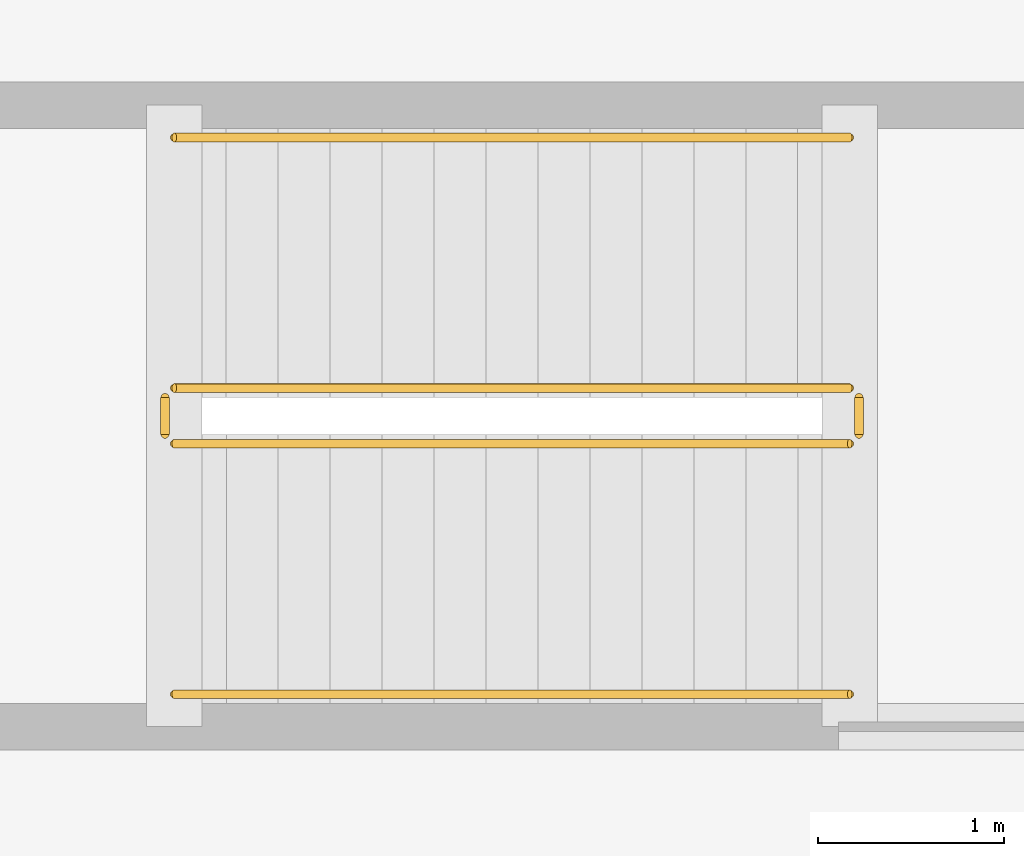
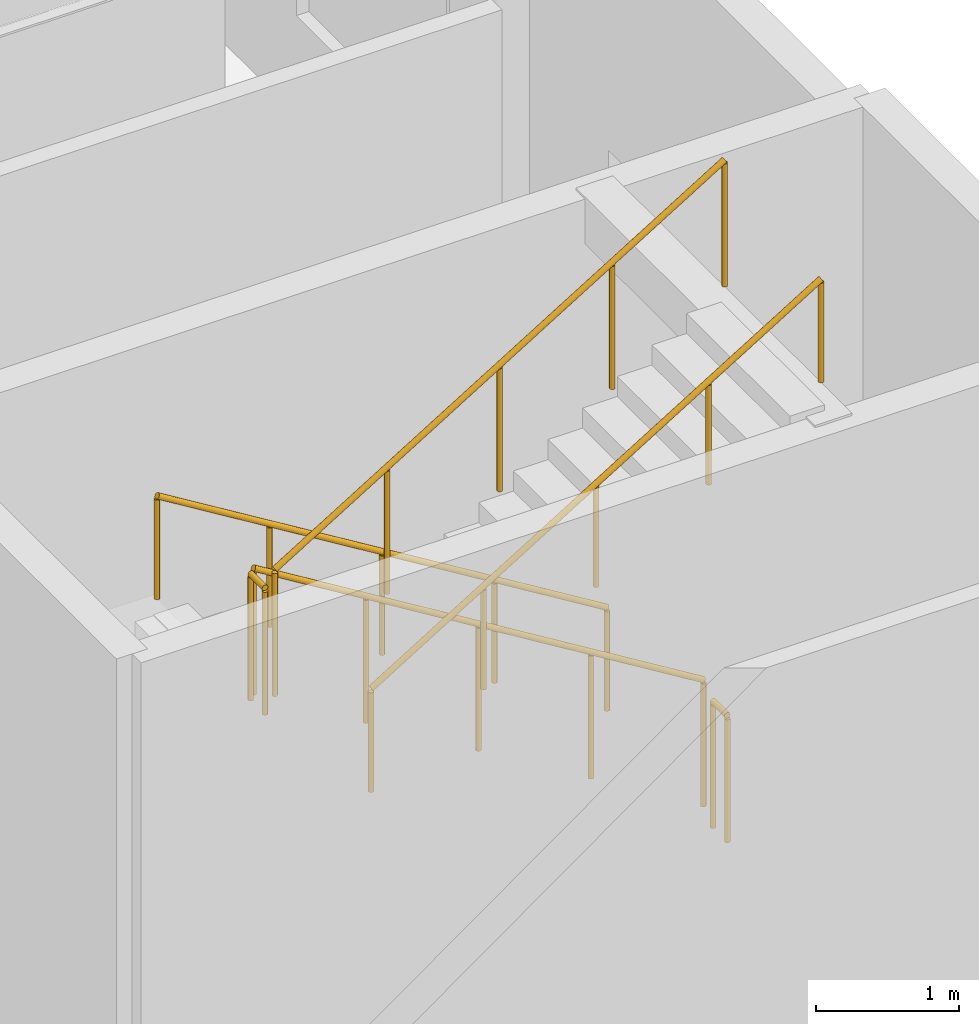
# One storey, part 92 of 93: 6 railings.
"""IFC4 building model written with IfcOpenShell, lengths in metres."""

from ifc_helpers import new_model, si_unit, direction, frame, origin, origin_2d, place, context, subcontext, project, spatial, circle, extrude, material, type_object, element, save


model = new_model("IFC4")

# Units and contexts
model_context = context("Model", 3, precision=1e-05, world=origin(), true_north=direction((0.0, 1.0)))
body_context = subcontext(model_context, "Body", "Model", "MODEL_VIEW")
ifc_project = project(units=[si_unit("LENGTHUNIT", "METRE"), si_unit("AREAUNIT", "SQUARE_METRE"), si_unit("VOLUMEUNIT", "CUBIC_METRE"), si_unit("PLANEANGLEUNIT", "RADIAN"), si_unit("MASSUNIT", "GRAM", prefix="KILO")], contexts=[model_context])

# Site, building, storey
site_placement = place(None, origin())
site = spatial("IfcSite", under=ifc_project, at=site_placement, CompositionType="ELEMENT")
building_placement = place(site_placement, origin())
building = spatial("IfcBuilding", under=site, at=building_placement, Name="Kazehara Bluff Congress Hotel", CompositionType="ELEMENT")
storey_placement = place(building_placement, frame((0.0, 0.0, 15.0)))
storey = spatial("IfcBuildingStorey", under=building, at=storey_placement, Name="L03", CompositionType="ELEMENT", Elevation=15.0)

# Railings
ifc_material_1 = material(Name="Brushed stainless steel", Category="steel")
railing_type_1 = type_object("IfcRailingType", Name="TP-GRD-INT", PredefinedType="GUARDRAIL", material=ifc_material_1)
railing_1_placement = place(storey_placement, frame((165.64990234375, 74.89990234375, 0.17138671875)))
element("IfcRailing", 1, at=railing_1_placement, inside=storey, type_object=railing_type_1, Name="L03 ST-12 stair guard 1", PredefinedType="GUARDRAIL", context=body_context, shape_type="SweptSolid", body=[
    extrude(circle(Radius=0.02392578125, at=origin_2d()), frame((0.0, 0.0, 1.076171875), z_axis=(-0.852850264322, 0.0, 0.5221555579), x_axis=(0.0, -1.0, 0.0)), (0.0, 0.0, 1.0), 4.267822265625),
    extrude(circle(Radius=0.02099609375, at=origin_2d()), origin(), (0.0, 0.0, 1.0), 1.052001953125),
    extrude(circle(Radius=0.02099609375, at=origin_2d()), frame((-0.909912109375, 0.0, 0.55712890625)), (0.0, 0.0, 1.0), 1.052001953125),
    extrude(circle(Radius=0.02099609375, at=origin_2d()), frame((-1.81982421875, 0.0, 1.1142578125)), (0.0, 0.0, 1.0), 1.052001953125),
    extrude(circle(Radius=0.02099609375, at=origin_2d()), frame((-2.72998046875, 0.0, 1.67138671875)), (0.0, 0.0, 1.0), 1.052001953125),
    extrude(circle(Radius=0.02099609375, at=origin_2d()), frame((-3.639892578125, 0.0, 2.228515625)), (0.0, 0.0, 1.0), 1.052001953125),
])
railing_2_placement = place(storey_placement, frame((161.9599609375, 74.85009765625, 2.39990234375)))
element("IfcRailing", 2, at=railing_2_placement, inside=storey, type_object=railing_type_1, Name="L03 ST-12 stair guard 2", PredefinedType="GUARDRAIL", context=body_context, shape_type="SweptSolid", body=[
    extrude(circle(Radius=0.02392578125, at=origin_2d()), frame((0.0, 0.0, 1.076171875), z_axis=(0.0, -1.0, 0.0), x_axis=(1.0, 0.0, 0.0)), (0.0, 0.0, 1.0), 0.2001953125),
    extrude(circle(Radius=0.02099609375, at=origin_2d()), origin(), (0.0, 0.0, 1.0), 1.052001953125),
    extrude(circle(Radius=0.02099609375, at=origin_2d()), frame((0.0, -0.2001953125, 0.0)), (0.0, 0.0, 1.0), 1.052001953125),
])
railing_3_placement = place(storey_placement, frame((162.010009765625, 74.60009765625, 2.571533203125)))
element("IfcRailing", 3, at=railing_3_placement, inside=storey, type_object=railing_type_1, Name="L03 ST-12 stair guard 3", PredefinedType="GUARDRAIL", context=body_context, shape_type="SweptSolid", body=[
    extrude(circle(Radius=0.02392578125, at=origin_2d()), frame((0.0, 0.0, 1.076171875), z_axis=(0.852850264322, 0.0, 0.5221555579), x_axis=(0.0, 1.0, 0.0)), (0.0, 0.0, 1.0), 4.267822265625),
    extrude(circle(Radius=0.02099609375, at=origin_2d()), origin(), (0.0, 0.0, 1.0), 1.052001953125),
    extrude(circle(Radius=0.02099609375, at=origin_2d()), frame((0.909912109375, 0.0, 0.55712890625)), (0.0, 0.0, 1.0), 1.052001953125),
    extrude(circle(Radius=0.02099609375, at=origin_2d()), frame((1.81982421875, 0.0, 1.1142578125)), (0.0, 0.0, 1.0), 1.052001953125),
    extrude(circle(Radius=0.02099609375, at=origin_2d()), frame((2.72998046875, 0.0, 1.67138671875)), (0.0, 0.0, 1.0), 1.052001953125),
    extrude(circle(Radius=0.02099609375, at=origin_2d()), frame((3.639892578125, 0.0, 2.228515625)), (0.0, 0.0, 1.0), 1.052001953125),
])
railing_4_placement = place(storey_placement, frame((165.699951171875, 74.85009765625, 0.0)))
element("IfcRailing", 4, at=railing_4_placement, inside=storey, type_object=railing_type_1, Name="L03 ST-12 stair guard 4", PredefinedType="GUARDRAIL", context=body_context, shape_type="SweptSolid", body=[
    extrude(circle(Radius=0.02392578125, at=origin_2d()), frame((0.0, 0.0, 1.076171875), z_axis=(0.0, -1.0, 0.0), x_axis=(1.0, 0.0, 0.0)), (0.0, 0.0, 1.0), 0.2001953125),
    extrude(circle(Radius=0.02099609375, at=origin_2d()), origin(), (0.0, 0.0, 1.0), 1.052001953125),
    extrude(circle(Radius=0.02099609375, at=origin_2d()), frame((0.0, -0.2001953125, 0.0)), (0.0, 0.0, 1.0), 1.052001953125),
])
ifc_material_2 = material(Name="Brushed stainless steel", Category="steel")
railing_type_2 = type_object("IfcRailingType", Name="TP-HR-INT", PredefinedType="HANDRAIL", material=ifc_material_2)
railing_5_placement = place(storey_placement, frame((165.64990234375, 76.25, 0.17138671875)))
element("IfcRailing", 5, at=railing_5_placement, inside=storey, type_object=railing_type_2, Name="L03 ST-12 stair handrail 1", PredefinedType="HANDRAIL", context=body_context, shape_type="SweptSolid", body=[
    extrude(circle(Radius=0.02392578125, at=origin_2d()), frame((0.0, 0.0, 0.8759765625), z_axis=(-0.852850264322, 0.0, 0.5221555579), x_axis=(0.0, -1.0, 0.0)), (0.0, 0.0, 1.0), 4.267822265625),
    extrude(circle(Radius=0.02099609375, at=origin_2d()), origin(), (0.0, 0.0, 1.0), 0.851806640625),
    extrude(circle(Radius=0.02099609375, at=origin_2d()), frame((-0.909912109375, 0.0, 0.55712890625)), (0.0, 0.0, 1.0), 0.851806640625),
    extrude(circle(Radius=0.02099609375, at=origin_2d()), frame((-1.81982421875, 0.0, 1.1142578125)), (0.0, 0.0, 1.0), 0.851806640625),
    extrude(circle(Radius=0.02099609375, at=origin_2d()), frame((-2.72998046875, 0.0, 1.67138671875)), (0.0, 0.0, 1.0), 0.851806640625),
    extrude(circle(Radius=0.02099609375, at=origin_2d()), frame((-3.639892578125, 0.0, 2.228515625)), (0.0, 0.0, 1.0), 0.851806640625),
])
railing_6_placement = place(storey_placement, frame((162.010009765625, 73.25, 2.571533203125)))
element("IfcRailing", 6, at=railing_6_placement, inside=storey, type_object=railing_type_2, Name="L03 ST-12 stair handrail 2", PredefinedType="HANDRAIL", context=body_context, shape_type="SweptSolid", body=[
    extrude(circle(Radius=0.02392578125, at=origin_2d()), frame((0.0, 0.0, 0.8759765625), z_axis=(0.852850264322, 0.0, 0.5221555579), x_axis=(0.0, 1.0, 0.0)), (0.0, 0.0, 1.0), 4.267822265625),
    extrude(circle(Radius=0.02099609375, at=origin_2d()), origin(), (0.0, 0.0, 1.0), 0.851806640625),
    extrude(circle(Radius=0.02099609375, at=origin_2d()), frame((0.909912109375, 0.0, 0.55712890625)), (0.0, 0.0, 1.0), 0.851806640625),
    extrude(circle(Radius=0.02099609375, at=origin_2d()), frame((1.81982421875, 0.0, 1.1142578125)), (0.0, 0.0, 1.0), 0.851806640625),
    extrude(circle(Radius=0.02099609375, at=origin_2d()), frame((2.72998046875, 0.0, 1.67138671875)), (0.0, 0.0, 1.0), 0.851806640625),
    extrude(circle(Radius=0.02099609375, at=origin_2d()), frame((3.639892578125, 0.0, 2.228515625)), (0.0, 0.0, 1.0), 0.851806640625),
])

save(model, "model.ifc")
